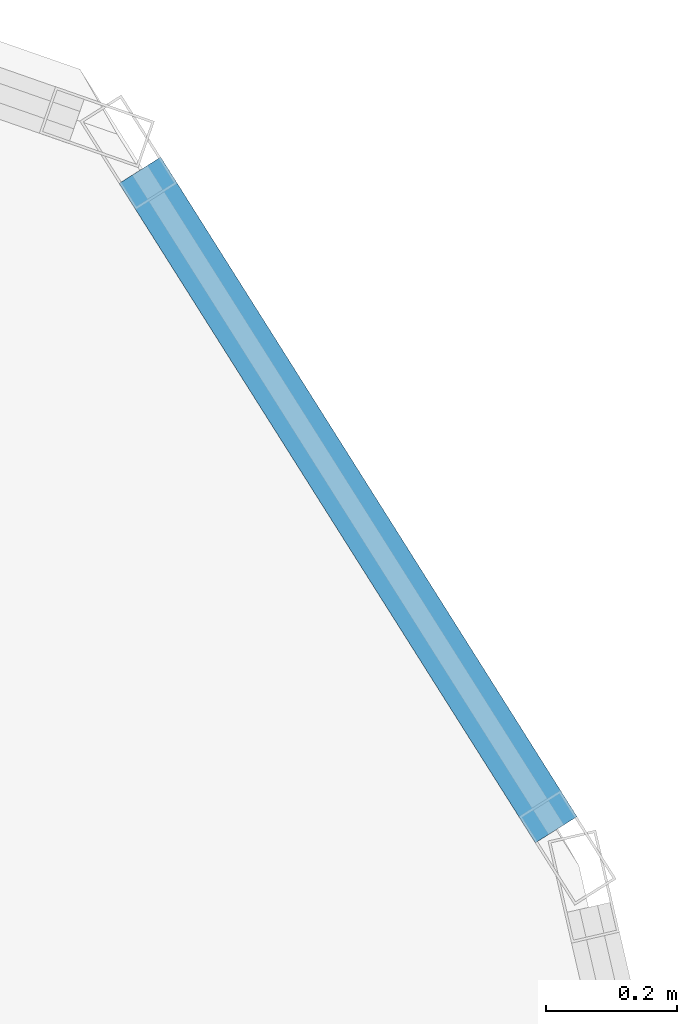
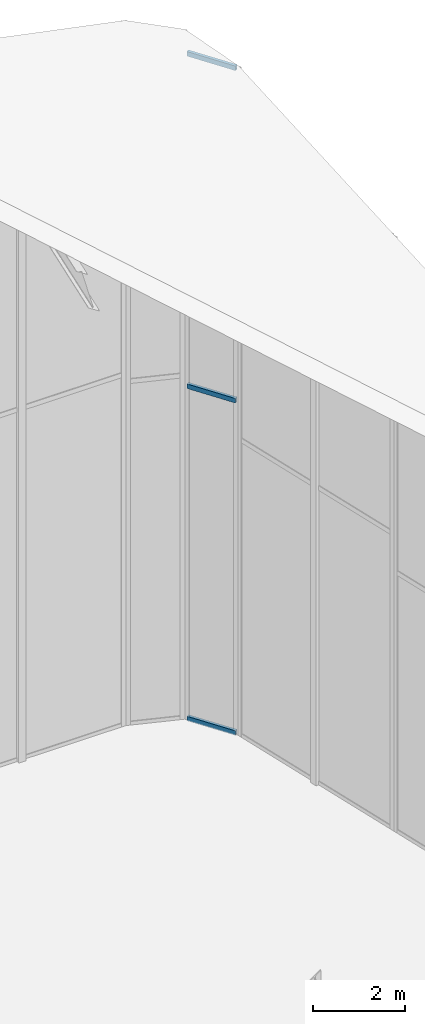
# One storey, part 69 of 74: 3 members, 1 element without a shape of its own.
"""IFC4 building model written with IfcOpenShell, lengths in metres."""

from ifc_helpers import new_model, si_unit, direction, frame, origin, origin_2d, place, context, subcontext, project, spatial, hollow_rectangle, extrude, material, layer, layer_set, material_profile, profile_set, type_object, element, aggregate, save


model = new_model("IFC4")

# Units and contexts
model_context = context("Model", 3, precision=1e-05, world=origin(), true_north=direction((0.0, 1.0)))
body_context = subcontext(model_context, "Body", "Model", "MODEL_VIEW")
ifc_project = project(units=[si_unit("LENGTHUNIT", "METRE"), si_unit("AREAUNIT", "SQUARE_METRE"), si_unit("VOLUMEUNIT", "CUBIC_METRE"), si_unit("PLANEANGLEUNIT", "RADIAN"), si_unit("MASSUNIT", "GRAM", prefix="KILO")], contexts=[model_context])

# Site, building, storey
site_placement = place(None, origin())
site = spatial("IfcSite", under=ifc_project, at=site_placement, CompositionType="ELEMENT")
building_placement = place(site_placement, origin())
building = spatial("IfcBuilding", under=site, at=building_placement, Name="Keshet Zoharim Tower", CompositionType="ELEMENT")
storey_placement = place(building_placement, frame((0.0, 0.0, 320.0)))
storey = spatial("IfcBuildingStorey", under=building, at=storey_placement, Name="RF", CompositionType="ELEMENT", Elevation=320.0)

# Curtain wall, members
ifc_material = material(Name="Aluminium 6063-T6", Category="aluminium")
ifc_layer = layer(ifc_material, 0.260009765625)
ifc_layer_set = layer_set([ifc_layer], Name="Aluminium 6063-T6")
curtain_wall_type = type_object("IfcCurtainWallType", Name="CW-SYS-06", PredefinedType="NOTDEFINED", material=ifc_layer_set)
curtain_wall_placement = place(storey_placement, origin())
curtain_wall = element("IfcCurtainWall", 1, at=curtain_wall_placement, inside=storey, type_object=curtain_wall_type, Name="Slanted Crown Curtain Wall 16", PredefinedType="NOTDEFINED")
ifc_material_profile = material_profile(ifc_material, hollow_rectangle(XDim=0.074951171875, YDim=0.1201171875, WallThickness=0.00390625, at=origin_2d()), Name="TRN-75x120")
ifc_profile_set = profile_set([ifc_material_profile], Name="Aluminium 6063-T6")
member_type = type_object("IfcMemberType", Name="CWT-T12", PredefinedType="USERDEFINED", material=ifc_profile_set)
member_1_placement = place(storey_placement, frame((38.688720703125, 53.41015625, 0.032470703125), z_axis=(0.533815243856, -0.845601138497, 0.0), x_axis=(0.845601138497, 0.533815243856, 0.0)))
member_1 = element("IfcMember", 2, at=member_1_placement, type_object=member_type, Name="CW-06 transom 1.1", ObjectType="TRANSOM", PredefinedType="USERDEFINED", context=body_context, shape_type="SweptSolid", body=[
    extrude(hollow_rectangle(XDim=0.074951171875, YDim=0.1201171875, WallThickness=0.00390625, at=origin_2d()), origin(), (0.0, 0.0, 1.0), 1.188720703125),
])
member_2_placement = place(storey_placement, frame((38.688720703125, 53.41015625, 8.81201171875), z_axis=(0.533815243856, -0.845601138497, 0.0), x_axis=(0.845601138497, 0.533815243856, 0.0)))
member_2 = element("IfcMember", 3, at=member_2_placement, type_object=member_type, Name="CW-06 transom 1.2", ObjectType="TRANSOM", PredefinedType="USERDEFINED", context=body_context, shape_type="SweptSolid", body=[
    extrude(hollow_rectangle(XDim=0.074951171875, YDim=0.1201171875, WallThickness=0.00390625, at=origin_2d()), origin(), (0.0, 0.0, 1.0), 1.188720703125),
])
member_3_placement = place(storey_placement, frame((38.688720703125, 53.41015625, 17.591552734375), z_axis=(0.533815243856, -0.845601138497, 0.0), x_axis=(0.845601138497, 0.533815243856, 0.0)))
member_3 = element("IfcMember", 4, at=member_3_placement, type_object=member_type, Name="CW-06 transom 1.3", ObjectType="TRANSOM", PredefinedType="USERDEFINED", context=body_context, shape_type="SweptSolid", body=[
    extrude(hollow_rectangle(XDim=0.074951171875, YDim=0.1201171875, WallThickness=0.00390625, at=origin_2d()), origin(), (0.0, 0.0, 1.0), 1.188720703125),
])
aggregate(curtain_wall, [member_1, member_2, member_3])

save(model, "model.ifc")
